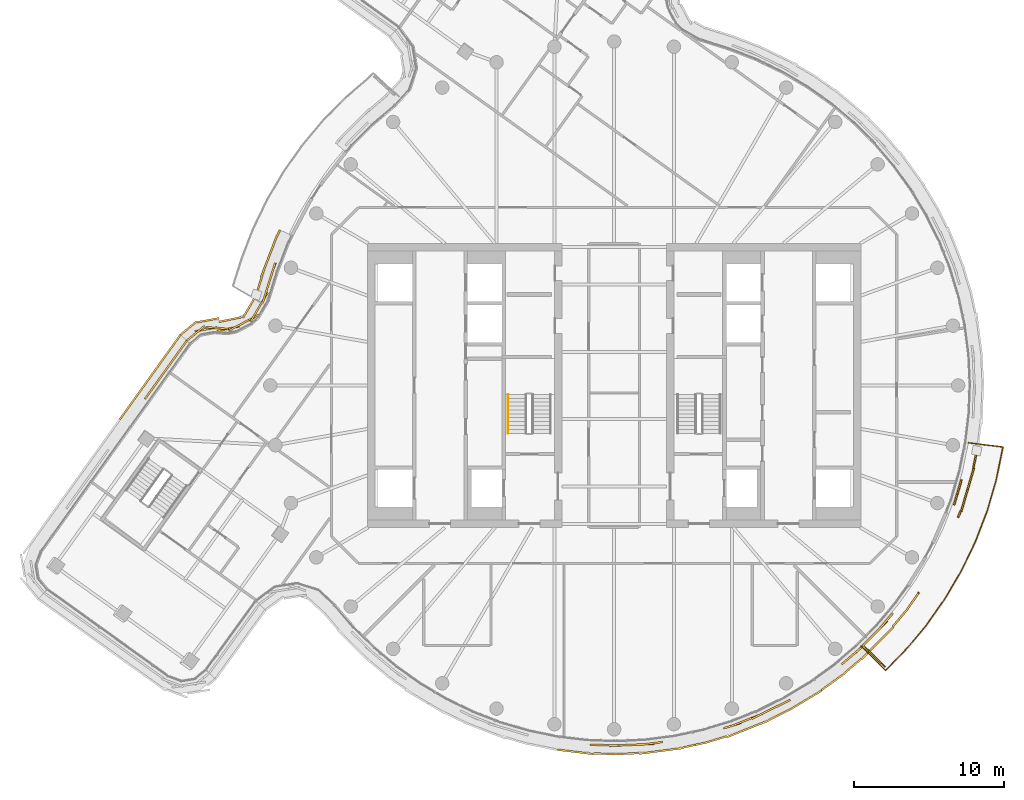
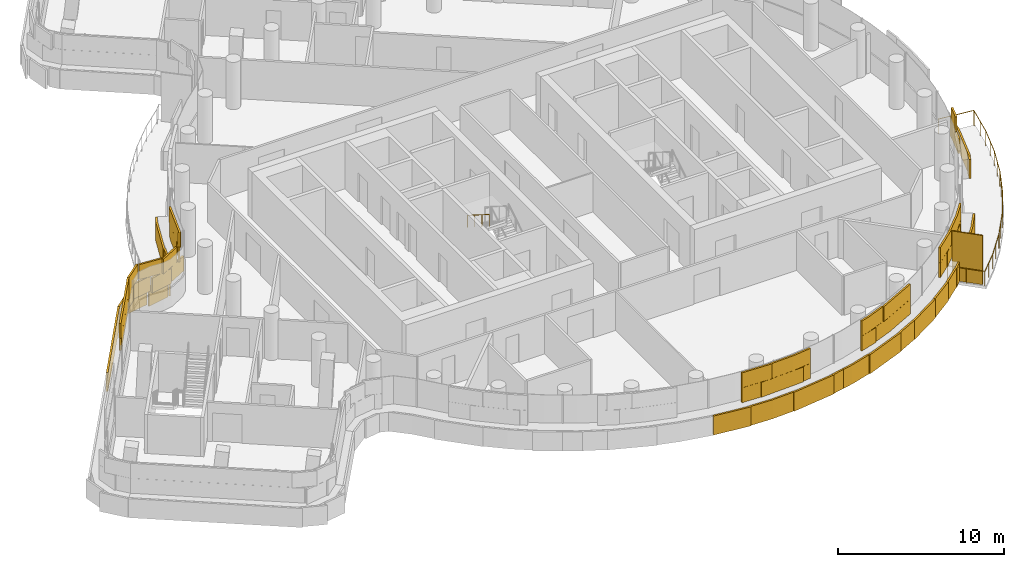
# One storey, part 23 of 27: 6 coverings, 2 railings, 1 shading device.
"""IFC4 building model written with IfcOpenShell, lengths in metres."""

from ifc_helpers import new_model, si_unit, direction, frame, origin, origin_2d, place, context, subcontext, project, spatial, rectangle, circle, extrude, material, layer, layer_set, type_object, element, save


model = new_model("IFC4")

# Units and contexts
model_context = context("Model", 3, precision=1e-05, world=origin(), true_north=direction((0.0, 1.0)))
body_context = subcontext(model_context, "Body", "Model", "MODEL_VIEW")
ifc_project = project(units=[si_unit("LENGTHUNIT", "METRE"), si_unit("AREAUNIT", "SQUARE_METRE"), si_unit("VOLUMEUNIT", "CUBIC_METRE"), si_unit("PLANEANGLEUNIT", "RADIAN"), si_unit("MASSUNIT", "GRAM", prefix="KILO")], contexts=[model_context])

# Site, building, storey
site_placement = place(None, origin())
site = spatial("IfcSite", under=ifc_project, at=site_placement, CompositionType="ELEMENT")
building_placement = place(site_placement, origin())
building = spatial("IfcBuilding", under=site, at=building_placement, Name="Tamarind Cross Interchange Tower", CompositionType="ELEMENT")
storey_placement = place(building_placement, frame((0.0, 0.0, 230.699951171875)))
storey = spatial("IfcBuildingStorey", under=building, at=storey_placement, Name="L58", CompositionType="ELEMENT", Elevation=230.699951171875)

# Railing
ifc_material_1 = material(Name="Stainless steel and laminated glass", Category="steel")
railing_type_1 = type_object("IfcRailingType", Name="Balcony guard", PredefinedType="BALUSTRADE", material=ifc_material_1)
railing_1_placement = place(storey_placement, frame((16.49658203125, -17.414306640625, 0.0)))
element("IfcRailing", 1, at=railing_1_placement, inside=storey, type_object=railing_type_1, Name="Balcony guard 02", PredefinedType="BALUSTRADE", context=body_context, shape_type="SweptSolid", body=[
    extrude(circle(Radius=0.02490234375, at=origin_2d()), frame((0.0, 0.0, 1.0751953125), z_axis=(0.710152123187, -0.704048266764, 0.0), x_axis=(0.704048266764, 0.710152123187, 0.0)), (0.0, 0.0, 1.0), 2.31982421875),
    extrude(circle(Radius=0.02490234375, at=origin_2d()), frame((1.6474609375, -1.63330078125, 1.0751953125), z_axis=(0.70404777084, 0.710152614848, 0.0), x_axis=(-0.710152614848, 0.70404777084, 0.0)), (0.0, 0.0, 1.0), 1.839599609375),
    extrude(circle(Radius=0.02490234375, at=origin_2d()), frame((2.942626953125, -0.326904296875, 1.0751953125), z_axis=(0.642984125922, 0.765879503455, 0.0), x_axis=(-0.765879503455, 0.642984125922, 0.0)), (0.0, 0.0, 1.0), 2.17529296875),
    extrude(circle(Radius=0.02490234375, at=origin_2d()), frame((4.34130859375, 1.339111328125, 1.0751953125), z_axis=(0.577590617379, 0.81632657602, 0.0), x_axis=(-0.81632657602, 0.577590617379, 0.0)), (0.0, 0.0, 1.0), 2.175048828125),
    extrude(circle(Radius=0.02490234375, at=origin_2d()), frame((5.59765625, 3.11474609375, 1.0751953125), z_axis=(0.508226290333, 0.861223570169, 0.0), x_axis=(-0.861223570169, 0.508226290333, 0.0)), (0.0, 0.0, 1.0), 2.175048828125),
    extrude(circle(Radius=0.02490234375, at=origin_2d()), frame((6.703125, 4.988037109375, 1.0751953125), z_axis=(0.435276325285, 0.90029690694, 0.0), x_axis=(-0.90029690694, 0.435276325285, 0.0)), (0.0, 0.0, 1.0), 2.175048828125),
    extrude(circle(Radius=0.02490234375, at=origin_2d()), frame((7.64990234375, 6.9462890625, 1.0751953125), z_axis=(0.359497979449, 0.93314586361, 0.0), x_axis=(-0.93314586361, 0.359497979449, 0.0)), (0.0, 0.0, 1.0), 2.17529296875),
    extrude(circle(Radius=0.02490234375, at=origin_2d()), frame((8.431884765625, 8.97607421875, 1.0751953125), z_axis=(0.281266871208, 0.959629588519, 0.0), x_axis=(-0.959629588519, 0.281266871208, 0.0)), (0.0, 0.0, 1.0), 2.17529296875),
    extrude(circle(Radius=0.02490234375, at=origin_2d()), frame((9.043701171875, 11.0634765625, 1.0751953125), z_axis=(0.200905479979, 0.97961063087, 0.0), x_axis=(-0.97961063087, 0.200905479979, 0.0)), (0.0, 0.0, 1.0), 2.17529296875),
    extrude(circle(Radius=0.02490234375, at=origin_2d()), frame((9.480712890625, 13.1943359375, 1.0751953125), z_axis=(0.120944689945, 0.992659247665, 0.0), x_axis=(-0.992659247665, 0.120944689945, 0.0)), (0.0, 0.0, 1.0), 0.10693359375),
    extrude(circle(Radius=0.02490234375, at=origin_2d()), frame((9.49365234375, 13.300537109375, 1.0751953125), z_axis=(-0.992841940747, 0.119435675967, 0.0), x_axis=(-0.119435675967, -0.992841940747, 0.0)), (0.0, 0.0, 1.0), 2.320068359375),
    extrude(circle(Radius=0.02001953125, at=origin_2d()), origin(), (0.0, 0.0, 1.0), 1.050048828125),
    extrude(circle(Radius=0.02001953125, at=origin_2d()), frame((0.82373046875, -0.816650390625, 0.0)), (0.0, 0.0, 1.0), 1.050048828125),
    extrude(circle(Radius=0.02001953125, at=origin_2d()), frame((1.6474609375, -1.63330078125, 0.0)), (0.0, 0.0, 1.0), 1.050048828125),
    extrude(circle(Radius=0.02001953125, at=origin_2d()), frame((2.294921875, -0.97998046875, 0.0)), (0.0, 0.0, 1.0), 1.050048828125),
    extrude(circle(Radius=0.02001953125, at=origin_2d()), frame((2.942626953125, -0.326904296875, 0.0)), (0.0, 0.0, 1.0), 1.050048828125),
    extrude(circle(Radius=0.02001953125, at=origin_2d()), frame((3.64208984375, 0.506103515625, 0.0)), (0.0, 0.0, 1.0), 1.050048828125),
    extrude(circle(Radius=0.02001953125, at=origin_2d()), frame((4.34130859375, 1.339111328125, 0.0)), (0.0, 0.0, 1.0), 1.050048828125),
    extrude(circle(Radius=0.02001953125, at=origin_2d()), frame((4.969482421875, 2.22705078125, 0.0)), (0.0, 0.0, 1.0), 1.050048828125),
    extrude(circle(Radius=0.02001953125, at=origin_2d()), frame((5.59765625, 3.11474609375, 0.0)), (0.0, 0.0, 1.0), 1.050048828125),
    extrude(circle(Radius=0.02001953125, at=origin_2d()), frame((6.150390625, 4.05126953125, 0.0)), (0.0, 0.0, 1.0), 1.050048828125),
    extrude(circle(Radius=0.02001953125, at=origin_2d()), frame((6.703125, 4.988037109375, 0.0)), (0.0, 0.0, 1.0), 1.050048828125),
    extrude(circle(Radius=0.02001953125, at=origin_2d()), frame((7.176513671875, 5.96728515625, 0.0)), (0.0, 0.0, 1.0), 1.050048828125),
    extrude(circle(Radius=0.02001953125, at=origin_2d()), frame((7.64990234375, 6.9462890625, 0.0)), (0.0, 0.0, 1.0), 1.050048828125),
    extrude(circle(Radius=0.02001953125, at=origin_2d()), frame((8.041015625, 7.961181640625, 0.0)), (0.0, 0.0, 1.0), 1.050048828125),
    extrude(circle(Radius=0.02001953125, at=origin_2d()), frame((8.431884765625, 8.97607421875, 0.0)), (0.0, 0.0, 1.0), 1.050048828125),
    extrude(circle(Radius=0.02001953125, at=origin_2d()), frame((8.73779296875, 10.019775390625, 0.0)), (0.0, 0.0, 1.0), 1.050048828125),
    extrude(circle(Radius=0.02001953125, at=origin_2d()), frame((9.043701171875, 11.0634765625, 0.0)), (0.0, 0.0, 1.0), 1.050048828125),
    extrude(circle(Radius=0.02001953125, at=origin_2d()), frame((9.26220703125, 12.12890625, 0.0)), (0.0, 0.0, 1.0), 1.050048828125),
    extrude(circle(Radius=0.02001953125, at=origin_2d()), frame((9.480712890625, 13.1943359375, 0.0)), (0.0, 0.0, 1.0), 1.050048828125),
    extrude(circle(Radius=0.02001953125, at=origin_2d()), frame((9.49365234375, 13.300537109375, 0.0)), (0.0, 0.0, 1.0), 1.050048828125),
    extrude(circle(Radius=0.02001953125, at=origin_2d()), frame((8.341796875, 13.43896484375, 0.0)), (0.0, 0.0, 1.0), 1.050048828125),
    extrude(circle(Radius=0.02001953125, at=origin_2d()), frame((7.190185546875, 13.57763671875, 0.0)), (0.0, 0.0, 1.0), 1.050048828125),
])

# Shading device
ifc_material_2 = material(Name="Bronze-finish aluminium louvre", Category="aluminium")
ifc_layer_1 = layer(ifc_material_2, 0.080078125)
ifc_layer_set_1 = layer_set([ifc_layer_1], Name="Bronze-finish aluminium louvre")
shading_device_type = type_object("IfcShadingDeviceType", Name="Operable louvre bay", PredefinedType="JALOUSIE", material=ifc_layer_set_1)
shading_device_placement = place(storey_placement, origin())
element("IfcShadingDevice", 2, at=shading_device_placement, inside=storey, type_object=shading_device_type, Name="LVR-L58-BAL02", PredefinedType="JALOUSIE", context=body_context, shape_type="SweptSolid", body=[
    extrude(rectangle(XDim=1.89990234375, YDim=0.080078125, at=origin_2d()), frame((17.447265625, -18.15966796875, 0.0), z_axis=(0.0, 0.0, 1.0), x_axis=(0.710143317658, -0.704057148523, 0.0)), (0.0, 0.0, 1.0), 3.60009765625),
])

# Railing
ifc_material_3 = material(Name="Stair handrail")
railing_type_2 = type_object("IfcRailingType", Name="Stair handrail", PredefinedType="HANDRAIL", material=ifc_material_3)
railing_2_placement = place(storey_placement, frame((-7.10009765625, -0.60009765625, 1.963623046875)))
element("IfcRailing", 3, at=railing_2_placement, inside=storey, type_object=railing_type_2, Name="L58 ST1 stair handrail 2", PredefinedType="HANDRAIL", context=body_context, shape_type="SweptSolid", body=[
    extrude(circle(Radius=0.02392578125, at=origin_2d()), frame((0.0, 0.0, 0.8759765625), z_axis=(0.0, -0.846301844409, 0.532703658848), x_axis=(1.0, 0.0, 0.0)), (0.0, 0.0, 1.0), 3.072021484375),
    extrude(circle(Radius=0.02099609375, at=origin_2d()), origin(), (0.0, 0.0, 1.0), 0.851806640625),
    extrude(circle(Radius=0.02099609375, at=origin_2d()), frame((0.0, -0.86669921875, 0.54541015625)), (0.0, 0.0, 1.0), 0.851806640625),
    extrude(circle(Radius=0.02099609375, at=origin_2d()), frame((0.0, -1.733154296875, 1.091064453125)), (0.0, 0.0, 1.0), 0.851806640625),
    extrude(circle(Radius=0.02099609375, at=origin_2d()), frame((0.0, -2.599853515625, 1.636474609375)), (0.0, 0.0, 1.0), 0.851806640625),
])

# Coverings
ifc_material_4 = material(Name="Terracotta", Category="masonry")
ifc_layer_2 = layer(ifc_material_4, 0.1201171875)
ifc_layer_set_2 = layer_set([ifc_layer_2], Name="Terracotta")
covering_type = type_object("IfcCoveringType", Name="Terracotta baguette screen unit", PredefinedType="MOLDING", material=ifc_layer_set_2)
covering_1_placement = place(storey_placement, origin())
element("IfcCovering", 4, at=covering_1_placement, inside=storey, type_object=covering_type, Name="SCR-L58-02-02", PredefinedType="MOLDING", context=body_context, shape_type="SweptSolid", body=[
    extrude(rectangle(XDim=1.2958984375, YDim=0.1201171875, at=origin_2d()), frame((-0.960693359375, -24.04638671875, 1.40380859375), z_axis=(0.0, 0.0, 1.0), x_axis=(0.999314350871, -0.037024696392, 0.0)), (0.0, 0.0, 1.0), 1.092041015625),
    extrude(rectangle(XDim=1.52001953125, YDim=0.1201171875, at=origin_2d()), frame((0.43115234375, -24.07080078125, 1.40380859375), z_axis=(0.0, 0.0, 1.0), x_axis=(0.998958660912, 0.045624486728, 0.0)), (0.0, 0.0, 1.0), 1.092041015625),
    extrude(rectangle(XDim=1.52001953125, YDim=0.1201171875, at=origin_2d()), frame((1.9296875, -24.00244140625, 1.40380859375), z_axis=(0.0, 0.0, 1.0), x_axis=(0.998958660912, 0.045624486728, 0.0)), (0.0, 0.0, 1.0), 1.092041015625),
    extrude(rectangle(XDim=0.5673828125, YDim=0.1201171875, at=origin_2d()), frame((2.950927734375, -23.88427734375, 1.40380859375), z_axis=(0.0, 0.0, 1.0), x_axis=(0.991779070368, 0.127962008342, 0.0)), (0.0, 0.0, 1.0), 1.092041015625),
    extrude(rectangle(XDim=0.5458984375, YDim=0.1201171875, at=origin_2d()), frame((-1.33544921875, -24.032470703125, 2.50390625), z_axis=(0.0, 0.0, 1.0), x_axis=(0.999314350871, -0.037024696392, 0.0)), (0.0, 0.0, 1.0), 1.092041015625),
    extrude(rectangle(XDim=1.52001953125, YDim=0.1201171875, at=origin_2d()), frame((-0.318115234375, -24.070068359375, 2.50390625), z_axis=(0.0, 0.0, 1.0), x_axis=(0.999314350871, -0.037024696392, 0.0)), (0.0, 0.0, 1.0), 1.092041015625),
    extrude(rectangle(XDim=1.52001953125, YDim=0.1201171875, at=origin_2d()), frame((1.180419921875, -24.03662109375, 2.50390625), z_axis=(0.0, 0.0, 1.0), x_axis=(0.998958660912, 0.045624486728, 0.0)), (0.0, 0.0, 1.0), 1.092041015625),
    extrude(rectangle(XDim=1.3173828125, YDim=0.1201171875, at=origin_2d()), frame((2.5791015625, -23.93212890625, 2.50390625), z_axis=(0.0, 0.0, 1.0), x_axis=(0.991779070368, 0.127962008342, 0.0)), (0.0, 0.0, 1.0), 1.092041015625),
    extrude(rectangle(XDim=0.953125, YDim=0.1201171875, at=origin_2d()), frame((-3.3046875, -24.41943359375, 0.00390625), z_axis=(0.0, 0.0, 1.0), x_axis=(0.992843710523, -0.119420963295, 0.0)), (0.0, 0.0, 1.0), 1.39208984375),
    extrude(rectangle(XDim=1.52001953125, YDim=0.1201171875, at=origin_2d()), frame((-2.096923828125, -24.56494140625, 0.00390625), z_axis=(0.0, 0.0, 1.0), x_axis=(0.992843710523, -0.119420963295, 0.0)), (0.0, 0.0, 1.0), 1.39208984375),
    extrude(rectangle(XDim=1.52001953125, YDim=0.1201171875, at=origin_2d()), frame((-0.59912109375, -24.63427734375, 0.00390625), z_axis=(0.0, 0.0, 1.0), x_axis=(0.999314350871, -0.037024696392, 0.0)), (0.0, 0.0, 1.0), 1.39208984375),
    extrude(rectangle(XDim=1.52001953125, YDim=0.1201171875, at=origin_2d()), frame((0.899658203125, -24.6240234375, 0.00390625), z_axis=(0.0, 0.0, 1.0), x_axis=(0.998958660912, 0.045624486728, 0.0)), (0.0, 0.0, 1.0), 1.39208984375),
    extrude(rectangle(XDim=1.52001953125, YDim=0.1201171875, at=origin_2d()), frame((2.396240234375, -24.534423828125, 0.00390625), z_axis=(0.0, 0.0, 1.0), x_axis=(0.991779070368, 0.127962008342, 0.0)), (0.0, 0.0, 1.0), 1.39208984375),
    extrude(rectangle(XDim=1.52001953125, YDim=0.1201171875, at=origin_2d()), frame((3.884033203125, -24.342529296875, 0.00390625), z_axis=(0.0, 0.0, 1.0), x_axis=(0.991779070368, 0.127962008342, 0.0)), (0.0, 0.0, 1.0), 1.39208984375),
    extrude(rectangle(XDim=0.82568359375, YDim=0.1201171875, at=origin_2d()), frame((5.01513671875, -24.1240234375, 0.00390625), z_axis=(0.0, 0.0, 1.0), x_axis=(0.977824623121, 0.209425419705, 0.0)), (0.0, 0.0, 1.0), 1.39208984375),
])
covering_2_placement = place(storey_placement, origin())
element("IfcCovering", 5, at=covering_2_placement, inside=storey, type_object=covering_type, Name="SCR-L58-02-03", PredefinedType="MOLDING", context=body_context, shape_type="SweptSolid", body=[
    extrude(rectangle(XDim=1.252685546875, YDim=0.1201171875, at=origin_2d()), frame((7.91259765625, -22.7490234375, 1.40380859375), z_axis=(0.0, 0.0, 1.0), x_axis=(0.957190642199, 0.289458243079, 0.0)), (0.0, 0.0, 1.0), 1.092041015625),
    extrude(rectangle(XDim=1.52001953125, YDim=0.1201171875, at=origin_2d()), frame((9.188232421875, -22.245361328125, 1.40380859375), z_axis=(0.0, 0.0, 1.0), x_axis=(0.930018078613, 0.367513773146, 0.0)), (0.0, 0.0, 1.0), 1.092041015625),
    extrude(rectangle(XDim=1.52001953125, YDim=0.1201171875, at=origin_2d()), frame((10.553955078125, -21.628173828125, 1.40380859375), z_axis=(0.0, 0.0, 1.0), x_axis=(0.896492548518, 0.443058811505, 0.0)), (0.0, 0.0, 1.0), 1.092041015625),
    extrude(rectangle(XDim=0.60986328125, YDim=0.1201171875, at=origin_2d()), frame((11.4951171875, -21.162841796875, 1.40380859375), z_axis=(0.0, 0.0, 1.0), x_axis=(0.896492548518, 0.443058811505, 0.0)), (0.0, 0.0, 1.0), 1.092041015625),
    extrude(rectangle(XDim=0.502685546875, YDim=0.1201171875, at=origin_2d()), frame((7.5537109375, -22.857421875, 2.50390625), z_axis=(0.0, 0.0, 1.0), x_axis=(0.957190642199, 0.289458243079, 0.0)), (0.0, 0.0, 1.0), 1.092041015625),
    extrude(rectangle(XDim=1.52001953125, YDim=0.1201171875, at=origin_2d()), frame((8.49072265625, -22.52099609375, 2.50390625), z_axis=(0.0, 0.0, 1.0), x_axis=(0.930018078613, 0.367513773146, 0.0)), (0.0, 0.0, 1.0), 1.092041015625),
    extrude(rectangle(XDim=1.52001953125, YDim=0.1201171875, at=origin_2d()), frame((9.881591796875, -21.96044921875, 2.50390625), z_axis=(0.0, 0.0, 1.0), x_axis=(0.896492548518, 0.443058811505, 0.0)), (0.0, 0.0, 1.0), 1.092041015625),
    extrude(rectangle(XDim=1.35986328125, YDim=0.1201171875, at=origin_2d()), frame((11.158935546875, -21.3291015625, 2.50390625), z_axis=(0.0, 0.0, 1.0), x_axis=(0.896492548518, 0.443058811505, 0.0)), (0.0, 0.0, 1.0), 1.092041015625),
    extrude(rectangle(XDim=0.6943359375, YDim=0.1201171875, at=origin_2d()), frame((5.75830078125, -23.96484375, 0.00390625), z_axis=(0.0, 0.0, 1.0), x_axis=(0.977824623121, 0.209425419705, 0.0)), (0.0, 0.0, 1.0), 1.39208984375),
    extrude(rectangle(XDim=1.52001953125, YDim=0.1201171875, at=origin_2d()), frame((6.807373046875, -23.682861328125, 0.00390625), z_axis=(0.0, 0.0, 1.0), x_axis=(0.957190642199, 0.289458243079, 0.0)), (0.0, 0.0, 1.0), 1.39208984375),
    extrude(rectangle(XDim=1.52001953125, YDim=0.1201171875, at=origin_2d()), frame((8.2392578125, -23.237548828125, 0.00390625), z_axis=(0.0, 0.0, 1.0), x_axis=(0.930018078613, 0.367513773146, 0.0)), (0.0, 0.0, 1.0), 1.39208984375),
    extrude(rectangle(XDim=1.52001953125, YDim=0.1201171875, at=origin_2d()), frame((9.63427734375, -22.686279296875, 0.00390625), z_axis=(0.0, 0.0, 1.0), x_axis=(0.930018078613, 0.367513773146, 0.0)), (0.0, 0.0, 1.0), 1.39208984375),
    extrude(rectangle(XDim=1.52001953125, YDim=0.1201171875, at=origin_2d()), frame((10.992431640625, -22.0517578125, 0.00390625), z_axis=(0.0, 0.0, 1.0), x_axis=(0.896492548518, 0.443058811505, 0.0)), (0.0, 0.0, 1.0), 1.39208984375),
    extrude(rectangle(XDim=1.52001953125, YDim=0.1201171875, at=origin_2d()), frame((12.314697265625, -21.34619140625, 0.00390625), z_axis=(0.0, 0.0, 1.0), x_axis=(0.856843065292, 0.515577308909, 0.0)), (0.0, 0.0, 1.0), 1.39208984375),
    extrude(rectangle(XDim=1.083984375, YDim=0.1201171875, at=origin_2d()), frame((13.4130859375, -20.68505859375, 0.00390625), z_axis=(0.0, 0.0, 1.0), x_axis=(0.856843065292, 0.515577308909, 0.0)), (0.0, 0.0, 1.0), 1.39208984375),
])
covering_3_placement = place(storey_placement, origin())
element("IfcCovering", 6, at=covering_3_placement, inside=storey, type_object=covering_type, Name="SCR-L58-02-04", PredefinedType="MOLDING", context=body_context, shape_type="SweptSolid", body=[
    extrude(rectangle(XDim=1.2099609375, YDim=0.1201171875, at=origin_2d()), frame((15.675537109375, -18.260009765625, 1.40380859375), z_axis=(0.0, 0.0, 1.0), x_axis=(0.760295606781, 0.64957723968, 0.0)), (0.0, 0.0, 1.0), 1.092041015625),
    extrude(rectangle(XDim=1.52001953125, YDim=0.1201171875, at=origin_2d()), frame((16.678955078125, -17.358154296875, 1.40380859375), z_axis=(0.0, 0.0, 1.0), x_axis=(0.704057148523, 0.710143317658, 0.0)), (0.0, 0.0, 1.0), 1.092041015625),
    extrude(rectangle(XDim=1.52001953125, YDim=0.1201171875, at=origin_2d()), frame((17.73486328125, -16.29296875, 1.40380859375), z_axis=(0.0, 0.0, 1.0), x_axis=(0.704057148523, 0.710143317658, 0.0)), (0.0, 0.0, 1.0), 1.092041015625),
    extrude(rectangle(XDim=0.6533203125, YDim=0.1201171875, at=origin_2d()), frame((18.428955078125, -15.4765625, 1.40380859375), z_axis=(0.0, 0.0, 1.0), x_axis=(0.643009266048, 0.765858396687, 0.0)), (0.0, 0.0, 1.0), 1.092041015625),
    extrude(rectangle(XDim=0.4599609375, YDim=0.1201171875, at=origin_2d()), frame((15.390380859375, -18.50341796875, 2.50390625), z_axis=(0.0, 0.0, 1.0), x_axis=(0.760295606781, 0.64957723968, 0.0)), (0.0, 0.0, 1.0), 1.092041015625),
    extrude(rectangle(XDim=1.52001953125, YDim=0.1201171875, at=origin_2d()), frame((16.1318359375, -17.8701171875, 2.50390625), z_axis=(0.0, 0.0, 1.0), x_axis=(0.760295606781, 0.64957723968, 0.0)), (0.0, 0.0, 1.0), 1.092041015625),
    extrude(rectangle(XDim=1.52001953125, YDim=0.1201171875, at=origin_2d()), frame((17.206787109375, -16.825439453125, 2.50390625), z_axis=(0.0, 0.0, 1.0), x_axis=(0.704057148523, 0.710143317658, 0.0)), (0.0, 0.0, 1.0), 1.092041015625),
    extrude(rectangle(XDim=1.4033203125, YDim=0.1201171875, at=origin_2d()), frame((18.187744140625, -15.763671875, 2.50390625), z_axis=(0.0, 0.0, 1.0), x_axis=(0.643009266048, 0.765858396687, 0.0)), (0.0, 0.0, 1.0), 1.092041015625),
    extrude(rectangle(XDim=0.43603515625, YDim=0.1201171875, at=origin_2d()), frame((14.038330078125, -20.254150390625, 0.00390625), z_axis=(0.0, 0.0, 1.0), x_axis=(0.811340475102, 0.584573890505, 0.0)), (0.0, 0.0, 1.0), 1.39208984375),
    extrude(rectangle(XDim=1.52001953125, YDim=0.1201171875, at=origin_2d()), frame((14.815673828125, -19.694091796875, 0.00390625), z_axis=(0.0, 0.0, 1.0), x_axis=(0.811340475102, 0.584573890505, 0.0)), (0.0, 0.0, 1.0), 1.39208984375),
    extrude(rectangle(XDim=1.52001953125, YDim=0.1201171875, at=origin_2d()), frame((15.982177734375, -18.7529296875, 0.00390625), z_axis=(0.0, 0.0, 1.0), x_axis=(0.760295606781, 0.64957723968, 0.0)), (0.0, 0.0, 1.0), 1.39208984375),
    extrude(rectangle(XDim=1.52001953125, YDim=0.1201171875, at=origin_2d()), frame((17.097412109375, -17.751220703125, 0.00390625), z_axis=(0.0, 0.0, 1.0), x_axis=(0.704057148523, 0.710143317658, 0.0)), (0.0, 0.0, 1.0), 1.39208984375),
    extrude(rectangle(XDim=1.52001953125, YDim=0.1201171875, at=origin_2d()), frame((18.1533203125, -16.68603515625, 0.00390625), z_axis=(0.0, 0.0, 1.0), x_axis=(0.704057148523, 0.710143317658, 0.0)), (0.0, 0.0, 1.0), 1.39208984375),
    extrude(rectangle(XDim=1.52001953125, YDim=0.1201171875, at=origin_2d()), frame((19.123291015625, -15.542236328125, 0.00390625), z_axis=(0.0, 0.0, 1.0), x_axis=(0.643009266048, 0.765858396687, 0.0)), (0.0, 0.0, 1.0), 1.39208984375),
    extrude(rectangle(XDim=1.343017578125, YDim=0.1201171875, at=origin_2d()), frame((19.9794921875, -14.42138671875, 0.00390625), z_axis=(0.0, 0.0, 1.0), x_axis=(0.577568978284, 0.816341886298, 0.0)), (0.0, 0.0, 1.0), 1.39208984375),
])
covering_4_placement = place(storey_placement, origin())
element("IfcCovering", 7, at=covering_4_placement, inside=storey, type_object=covering_type, Name="SCR-L58-02-05", PredefinedType="MOLDING", context=body_context, shape_type="SweptSolid", body=[
    extrude(rectangle(XDim=1.52001953125, YDim=0.1201171875, at=origin_2d()), frame((22.94580078125, -7.274169921875, 1.40380859375), z_axis=(0.0, 0.0, 1.0), x_axis=(0.281208920763, 0.95964657186, 0.0)), (0.0, 0.0, 1.0), 1.092041015625),
    extrude(rectangle(XDim=1.020751953125, YDim=0.1201171875, at=origin_2d()), frame((23.087890625, -6.789306640625, 2.50390625), z_axis=(0.0, 0.0, 1.0), x_axis=(0.281208920763, 0.95964657186, 0.0)), (0.0, 0.0, 1.0), 1.092041015625),
    extrude(rectangle(XDim=0.03076171875, YDim=0.1201171875, at=origin_2d()), frame((20.376220703125, -13.860595703125, 0.00390625), z_axis=(0.0, 0.0, 1.0), x_axis=(0.577568978284, 0.816341886298, 0.0)), (0.0, 0.0, 1.0), 1.39208984375),
    extrude(rectangle(XDim=0.478515625, YDim=0.1201171875, at=origin_2d()), frame((23.086181640625, -8.61376953125, 0.00390625), z_axis=(0.0, 0.0, 1.0), x_axis=(0.359495435512, 0.933146843667, 0.0)), (0.0, 0.0, 1.0), 1.39208984375),
    extrude(rectangle(XDim=1.52001953125, YDim=0.1201171875, at=origin_2d()), frame((23.4208984375, -7.6943359375, 0.00390625), z_axis=(0.0, 0.0, 1.0), x_axis=(0.281208920763, 0.95964657186, 0.0)), (0.0, 0.0, 1.0), 1.39208984375),
    extrude(rectangle(XDim=1.52001953125, YDim=0.1201171875, at=origin_2d()), frame((23.8427734375, -6.254638671875, 0.00390625), z_axis=(0.0, 0.0, 1.0), x_axis=(0.281208920763, 0.95964657186, 0.0)), (0.0, 0.0, 1.0), 1.39208984375),
    extrude(rectangle(XDim=1.201904296875, YDim=0.1201171875, at=origin_2d()), frame((24.1376953125, -4.947509765625, 0.00390625), z_axis=(0.0, 0.0, 1.0), x_axis=(0.201001463943, 0.9795909409, 0.0)), (0.0, 0.0, 1.0), 1.39208984375),
])
covering_5_placement = place(storey_placement, origin())
element("IfcCovering", 8, at=covering_5_placement, inside=storey, type_object=covering_type, Name="SCR-L58-06-01", PredefinedType="MOLDING", context=body_context, shape_type="SweptSolid", body=[
    extrude(rectangle(XDim=0.545654296875, YDim=0.1201171875, at=origin_2d()), frame((-22.732666015625, 7.9345703125, 1.40380859375), z_axis=(0.0, 0.0, 1.0), x_axis=(-0.359495435512, -0.933146843667, 0.0)), (0.0, 0.0, 1.0), 1.092041015625),
    extrude(rectangle(XDim=1.52001953125, YDim=0.1201171875, at=origin_2d()), frame((-23.051025390625, 6.96826171875, 1.40380859375), z_axis=(0.0, 0.0, 1.0), x_axis=(-0.299407311068, -0.954125391172, 0.0)), (0.0, 0.0, 1.0), 1.092041015625),
    extrude(rectangle(XDim=1.52001953125, YDim=0.1201171875, at=origin_2d()), frame((-23.55419921875, 5.560791015625, 1.40380859375), z_axis=(0.0, 0.0, 1.0), x_axis=(-0.504334303764, -0.863508488694, 0.0)), (0.0, 0.0, 1.0), 1.092041015625),
    extrude(rectangle(XDim=1.52001953125, YDim=0.1201171875, at=origin_2d()), frame((-24.435546875, 4.3671875, 1.40380859375), z_axis=(0.0, 0.0, 1.0), x_axis=(-0.886530544975, -0.462670069084, 0.0)), (0.0, 0.0, 1.0), 1.092041015625),
    extrude(rectangle(XDim=1.52001953125, YDim=0.1201171875, at=origin_2d()), frame((-25.80810546875, 3.794189453125, 1.40380859375), z_axis=(0.0, 0.0, 1.0), x_axis=(-0.979984193076, -0.199075315702, 0.0)), (0.0, 0.0, 1.0), 1.092041015625),
    extrude(rectangle(XDim=1.52001953125, YDim=0.1201171875, at=origin_2d()), frame((-27.29541015625, 3.750732421875, 1.40380859375), z_axis=(0.0, 0.0, 1.0), x_axis=(-0.98438946913, -0.176003900711, 0.0)), (0.0, 0.0, 1.0), 1.092041015625),
    extrude(rectangle(XDim=0.790771484375, YDim=0.1201171875, at=origin_2d()), frame((-28.276123046875, 3.24462890625, 1.40380859375), z_axis=(0.0, 0.0, 1.0), x_axis=(-0.770527022159, -0.637407332969, 0.0)), (0.0, 0.0, 1.0), 1.092041015625),
    extrude(rectangle(XDim=1.295654296875, YDim=0.1201171875, at=origin_2d()), frame((-22.858642578125, 7.58154296875, 2.50390625), z_axis=(0.0, 0.0, 1.0), x_axis=(-0.299407311068, -0.954125391172, 0.0)), (0.0, 0.0, 1.0), 1.092041015625),
    extrude(rectangle(XDim=1.52001953125, YDim=0.1201171875, at=origin_2d()), frame((-23.275634765625, 6.25244140625, 2.50390625), z_axis=(0.0, 0.0, 1.0), x_axis=(-0.299407311068, -0.954125391172, 0.0)), (0.0, 0.0, 1.0), 1.092041015625),
    extrude(rectangle(XDim=1.52001953125, YDim=0.1201171875, at=origin_2d()), frame((-23.932373046875, 4.9130859375, 2.50390625), z_axis=(0.0, 0.0, 1.0), x_axis=(-0.504334303764, -0.863508488694, 0.0)), (0.0, 0.0, 1.0), 1.092041015625),
    extrude(rectangle(XDim=1.52001953125, YDim=0.1201171875, at=origin_2d()), frame((-25.100341796875, 4.020263671875, 2.50390625), z_axis=(0.0, 0.0, 1.0), x_axis=(-0.886530544975, -0.462670069084, 0.0)), (0.0, 0.0, 1.0), 1.092041015625),
    extrude(rectangle(XDim=1.52001953125, YDim=0.1201171875, at=origin_2d()), frame((-26.554931640625, 3.837890625, 2.50390625), z_axis=(0.0, 0.0, 1.0), x_axis=(-0.99678761474, 0.080090268448, 0.0)), (0.0, 0.0, 1.0), 1.092041015625),
    extrude(rectangle(XDim=1.52001953125, YDim=0.1201171875, at=origin_2d()), frame((-27.9755859375, 3.493408203125, 2.50390625), z_axis=(0.0, 0.0, 1.0), x_axis=(-0.770527022159, -0.637407332969, 0.0)), (0.0, 0.0, 1.0), 1.092041015625),
    extrude(rectangle(XDim=0.040771484375, YDim=0.1201171875, at=origin_2d()), frame((-28.565185546875, 3.005615234375, 2.50390625), z_axis=(0.0, 0.0, 1.0), x_axis=(-0.770527022159, -0.637407332969, 0.0)), (0.0, 0.0, 1.0), 1.092041015625),
    extrude(rectangle(XDim=0.364013671875, YDim=0.1201171875, at=origin_2d()), frame((-22.435791015625, 10.201904296875, 0.00390625), z_axis=(0.0, 0.0, 1.0), x_axis=(-0.435326231914, -0.900272776334, 0.0)), (0.0, 0.0, 1.0), 1.39208984375),
    extrude(rectangle(XDim=1.52001953125, YDim=0.1201171875, at=origin_2d()), frame((-22.80029296875, 9.35595703125, 0.00390625), z_axis=(0.0, 0.0, 1.0), x_axis=(-0.359495435512, -0.933146843667, 0.0)), (0.0, 0.0, 1.0), 1.39208984375),
    extrude(rectangle(XDim=1.52001953125, YDim=0.1201171875, at=origin_2d()), frame((-23.339599609375, 7.9560546875, 0.00390625), z_axis=(0.0, 0.0, 1.0), x_axis=(-0.359495435512, -0.933146843667, 0.0)), (0.0, 0.0, 1.0), 1.39208984375),
    extrude(rectangle(XDim=1.52001953125, YDim=0.1201171875, at=origin_2d()), frame((-23.79150390625, 6.52587890625, 0.00390625), z_axis=(0.0, 0.0, 1.0), x_axis=(-0.299407311068, -0.954125391172, 0.0)), (0.0, 0.0, 1.0), 1.39208984375),
    extrude(rectangle(XDim=1.52001953125, YDim=0.1201171875, at=origin_2d()), frame((-24.439697265625, 5.182861328125, 0.00390625), z_axis=(0.0, 0.0, 1.0), x_axis=(-0.504334303764, -0.863508488694, 0.0)), (0.0, 0.0, 1.0), 1.39208984375),
    extrude(rectangle(XDim=1.52001953125, YDim=0.1201171875, at=origin_2d()), frame((-25.686767578125, 4.404541015625, 0.00390625), z_axis=(0.0, 0.0, 1.0), x_axis=(-0.979984193076, -0.199075315702, 0.0)), (0.0, 0.0, 1.0), 1.39208984375),
    extrude(rectangle(XDim=1.52001953125, YDim=0.1201171875, at=origin_2d()), frame((-27.173095703125, 4.355712890625, 0.00390625), z_axis=(0.0, 0.0, 1.0), x_axis=(-0.98438946913, -0.176003900711, 0.0)), (0.0, 0.0, 1.0), 1.39208984375),
    extrude(rectangle(XDim=1.3935546875, YDim=0.1201171875, at=origin_2d()), frame((-28.463134765625, 3.8349609375, 0.00390625), z_axis=(0.0, 0.0, 1.0), x_axis=(-0.770527022159, -0.637407332969, 0.0)), (0.0, 0.0, 1.0), 1.39208984375),
])
covering_6_placement = place(storey_placement, origin())
element("IfcCovering", 9, at=covering_6_placement, inside=storey, type_object=covering_type, Name="SCR-L58-07-00", PredefinedType="MOLDING", context=body_context, shape_type="SweptSolid", body=[
    extrude(rectangle(XDim=1.510009765625, YDim=0.1201171875, at=origin_2d()), frame((-29.014404296875, 2.386474609375, 1.40380859375), z_axis=(0.0, 0.0, 1.0), x_axis=(-0.583121596975, -0.812384886086, 0.0)), (0.0, 0.0, 1.0), 1.092041015625),
    extrude(rectangle(XDim=1.52001953125, YDim=0.1201171875, at=origin_2d()), frame((-29.888916015625, 1.16796875, 1.40380859375), z_axis=(0.0, 0.0, 1.0), x_axis=(-0.583121596975, -0.812384886086, 0.0)), (0.0, 0.0, 1.0), 1.092041015625),
    extrude(rectangle(XDim=1.52001953125, YDim=0.1201171875, at=origin_2d()), frame((-30.763671875, -0.050537109375, 1.40380859375), z_axis=(0.0, 0.0, 1.0), x_axis=(-0.583121596975, -0.812384886086, 0.0)), (0.0, 0.0, 1.0), 1.092041015625),
    extrude(rectangle(XDim=0.760009765625, YDim=0.1201171875, at=origin_2d()), frame((-28.795654296875, 2.691162109375, 2.50390625), z_axis=(0.0, 0.0, 1.0), x_axis=(-0.583121596975, -0.812384886086, 0.0)), (0.0, 0.0, 1.0), 1.092041015625),
    extrude(rectangle(XDim=1.52001953125, YDim=0.1201171875, at=origin_2d()), frame((-29.45166015625, 1.77734375, 2.50390625), z_axis=(0.0, 0.0, 1.0), x_axis=(-0.583121596975, -0.812384886086, 0.0)), (0.0, 0.0, 1.0), 1.092041015625),
    extrude(rectangle(XDim=1.52001953125, YDim=0.1201171875, at=origin_2d()), frame((-30.326416015625, 0.55859375, 2.50390625), z_axis=(0.0, 0.0, 1.0), x_axis=(-0.583121596975, -0.812384886086, 0.0)), (0.0, 0.0, 1.0), 1.092041015625),
    extrude(rectangle(XDim=1.056396484375, YDim=0.1201171875, at=origin_2d()), frame((-31.06884765625, -0.4755859375, 2.50390625), z_axis=(0.0, 0.0, 1.0), x_axis=(-0.583121596975, -0.812384886086, 0.0)), (0.0, 0.0, 1.0), 1.092041015625),
    extrude(rectangle(XDim=1.510009765625, YDim=0.1201171875, at=origin_2d()), frame((-29.440185546875, 2.777587890625, 0.00390625), z_axis=(0.0, 0.0, 1.0), x_axis=(-0.583121596975, -0.812384886086, 0.0)), (0.0, 0.0, 1.0), 1.39208984375),
    extrude(rectangle(XDim=1.52001953125, YDim=0.1201171875, at=origin_2d()), frame((-30.31201171875, 1.56298828125, 0.00390625), z_axis=(0.0, 0.0, 1.0), x_axis=(-0.583121596975, -0.812384886086, 0.0)), (0.0, 0.0, 1.0), 1.39208984375),
    extrude(rectangle(XDim=1.52001953125, YDim=0.1201171875, at=origin_2d()), frame((-31.186767578125, 0.344482421875, 0.00390625), z_axis=(0.0, 0.0, 1.0), x_axis=(-0.583121596975, -0.812384886086, 0.0)), (0.0, 0.0, 1.0), 1.39208984375),
    extrude(rectangle(XDim=1.52001953125, YDim=0.1201171875, at=origin_2d()), frame((-32.0615234375, -0.874267578125, 0.00390625), z_axis=(0.0, 0.0, 1.0), x_axis=(-0.583121596975, -0.812384886086, 0.0)), (0.0, 0.0, 1.0), 1.39208984375),
    extrude(rectangle(XDim=0.96630859375, YDim=0.1201171875, at=origin_2d()), frame((-32.774658203125, -1.867919921875, 0.00390625), z_axis=(0.0, 0.0, 1.0), x_axis=(-0.583121596975, -0.812384886086, 0.0)), (0.0, 0.0, 1.0), 1.39208984375),
])

save(model, "model.ifc")
